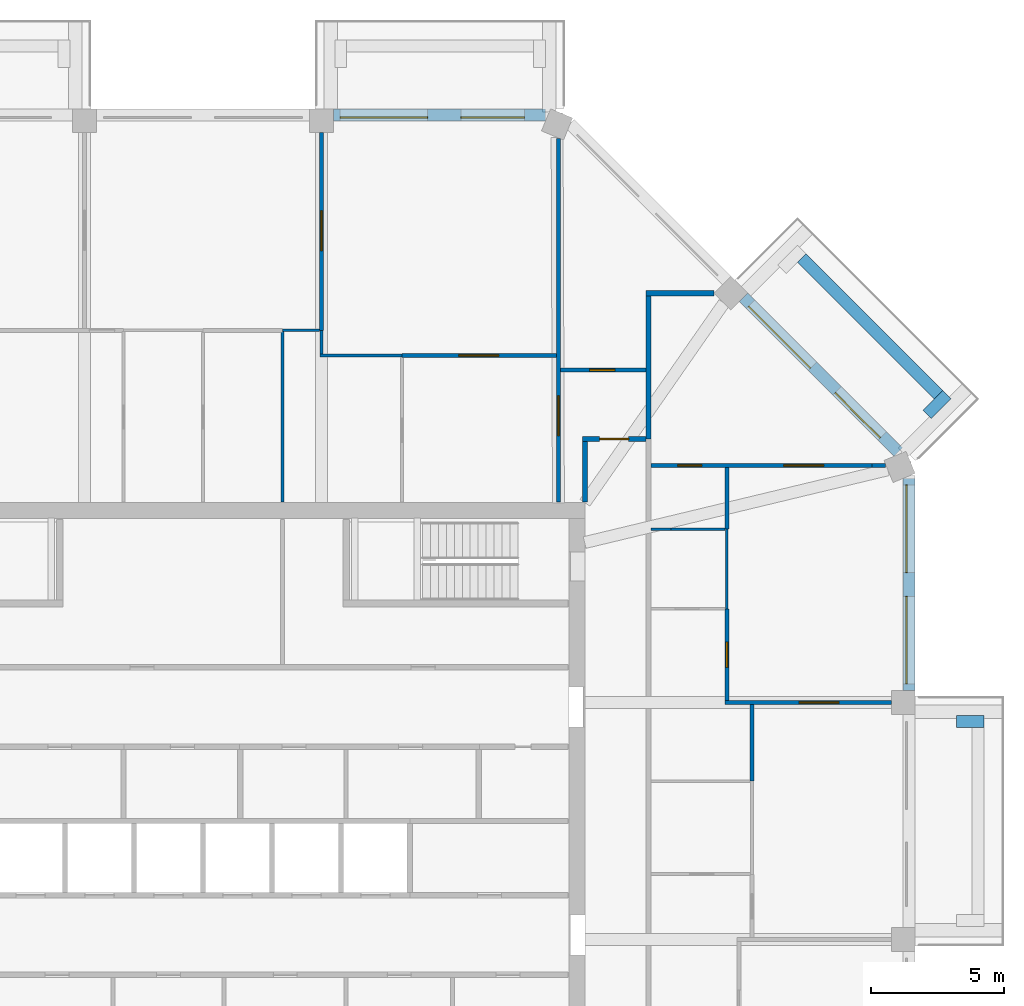
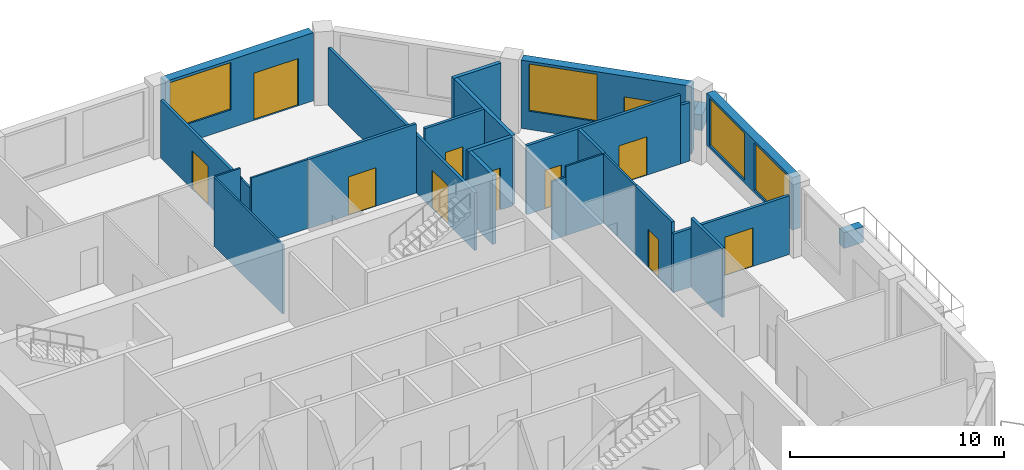
# One storey, part 9 of 12: 27 walls, 11 doors, 4 windows, 15 openings.
"""IFC4 building model written with IfcOpenShell, lengths in metres."""

from ifc_helpers import new_model, si_unit, direction, frame, frame_2d, origin, place, context, subcontext, project, spatial, rectangle, extrude, material, layer, layer_set, type_object, element, fill, save


model = new_model("IFC4")

# Units and contexts
model_context = context("Model", 3, precision=1e-05, world=origin(), true_north=direction((0.0, 1.0)))
body_context = subcontext(model_context, "Body", "Model", "MODEL_VIEW")
ifc_project = project(units=[si_unit("LENGTHUNIT", "METRE"), si_unit("AREAUNIT", "SQUARE_METRE"), si_unit("VOLUMEUNIT", "CUBIC_METRE"), si_unit("PLANEANGLEUNIT", "RADIAN"), si_unit("MASSUNIT", "GRAM", prefix="KILO")], contexts=[model_context])

# Site, building, storey
site_placement = place(None, origin())
site = spatial("IfcSite", under=ifc_project, at=site_placement, CompositionType="ELEMENT")
building_placement = place(site_placement, origin())
building = spatial("IfcBuilding", under=site, at=building_placement, Name="Msitu Wima Residences", CompositionType="ELEMENT")
storey_placement = place(building_placement, frame((0.0, 0.0, 222.300048828125)))
storey = spatial("IfcBuildingStorey", under=building, at=storey_placement, Name="L51", CompositionType="ELEMENT", Elevation=222.300048828125)

# Walls
ifc_material_1 = material(Name="Facing brick")
ifc_layer_1 = layer(ifc_material_1, 0.06494140625, Name="Facing brick")
ifc_material_2 = material(Name="Concrete C40/50", Category="concrete")
ifc_layer_2 = layer(ifc_material_2, 0.156005859375, Name="Concrete C40/50")
ifc_material_3 = material(Name="Waterproofing membrane")
ifc_layer_3 = layer(ifc_material_3, 0.00390625, Name="Waterproofing membrane")
ifc_material_4 = material(Name="Planting soil and planting")
ifc_layer_4 = layer(ifc_material_4, 0.22509765625, Name="Planting soil and planting")
ifc_layer_set_1 = layer_set([ifc_layer_1, ifc_layer_2, ifc_layer_3, ifc_layer_4], Name="Concrete C40/50")
wall_type_1 = type_object("IfcWallType", Name="Balcony planter PLANTER PL450", PredefinedType="USERDEFINED", material=ifc_layer_set_1)
wall_1_placement = place(storey_placement, frame((28.39990234375, 3.74365234375, 0.0), z_axis=(0.0, 0.0, 1.0), x_axis=(1.0, 0.0, 0.0)))
element("IfcWall", 1, at=wall_1_placement, inside=storey, type_object=wall_type_1, Name="Balcony planter E1 L51", ObjectType="PLANTER", PredefinedType="USERDEFINED", context=body_context, shape_type="SweptSolid", body=[
    extrude(rectangle(XDim=1.050048828125, YDim=0.449951171875, at=frame_2d((0.52490234375, 0.0))), origin(), (0.0, 0.0, 1.0), 0.89990234375),
])
wall_2_placement = place(storey_placement, frame((27.725830078125, 16.0751953125, 0.0), z_axis=(0.0, 0.0, 1.0), x_axis=(-0.707106781187, 0.707106781187, 0.0)))
element("IfcWall", 2, at=wall_2_placement, inside=storey, type_object=wall_type_1, Name="Balcony planter NE0 L51", ObjectType="PLANTER", PredefinedType="USERDEFINED", context=body_context, shape_type="SweptSolid", body=[
    extrude(rectangle(XDim=7.288330078125, YDim=0.449951171875, at=frame_2d((3.64404296875, 0.0))), origin(), (0.0, 0.0, 1.0), 0.89990234375),
])
wall_3_placement = place(storey_placement, frame((27.301513671875, 15.332763671875, 0.0), z_axis=(0.0, 0.0, 1.0), x_axis=(0.707106781187, 0.707106781187, 0.0)))
element("IfcWall", 3, at=wall_3_placement, inside=storey, type_object=wall_type_1, Name="Balcony planter NE0 L51", ObjectType="PLANTER", PredefinedType="USERDEFINED", context=body_context, shape_type="SweptSolid", body=[
    extrude(rectangle(XDim=1.050048828125, YDim=0.449951171875, at=frame_2d((0.52490234375, 0.0))), origin(), (0.0, 0.0, 1.0), 0.89990234375),
])

# Wall, openings, windows
ifc_material_5 = material(Name="Brick (red buff mix)", Category="masonry")
ifc_layer_5 = layer(ifc_material_5, 0.449951171875)
ifc_layer_set_2 = layer_set([ifc_layer_5], Name="Brick (red buff mix)")
wall_type_2 = type_object("IfcWallType", Name="Brick infill wall BW450", PredefinedType="SOLIDWALL", material=ifc_layer_set_2)
wall_4_placement = place(storey_placement, frame((26.625, 4.918701171875, 0.89990234375), z_axis=(0.0, 0.0, 1.0), x_axis=(0.0, 1.0, 0.0)))
wall_4 = element("IfcWall", 4, at=wall_4_placement, inside=storey, type_object=wall_type_2, Name="Brick infill wall L51 E2", PredefinedType="SOLIDWALL", context=body_context, shape_type="SweptSolid", body=[
    extrude(rectangle(XDim=8.0, YDim=0.449951171875, at=frame_2d((4.0, 0.0))), origin(), (0.0, 0.0, 1.0), 3.0),
])
opening_1_placement = place(wall_4_placement, frame((0.25, 0.0, 0.14990234375)))
opening_1 = element("IfcOpeningElement", 5, at=opening_1_placement, cuts=wall_4, Name="Opening W50-51.004", PredefinedType="OPENING", context=body_context, shape_type="SweptSolid", body=[
    extrude(rectangle(XDim=3.300048828125, YDim=2.699951171875, at=frame_2d((1.64990234375, 1.35009765625))), frame((0.0, 0.23486328125, 0.0), z_axis=(0.0, -1.0, 0.0), x_axis=(1.0, 0.0, 0.0)), (0.0, 0.0, 1.0), 0.469970703125),
])
opening_2_placement = place(wall_4_placement, frame((4.4501953125, 0.0, 0.14990234375)))
opening_2 = element("IfcOpeningElement", 6, at=opening_2_placement, cuts=wall_4, Name="Opening W50-51.005", PredefinedType="OPENING", context=body_context, shape_type="SweptSolid", body=[
    extrude(rectangle(XDim=3.300048828125, YDim=2.699951171875, at=frame_2d((1.64990234375, 1.35009765625))), frame((0.0, 0.23486328125, 0.0), z_axis=(0.0, -1.0, 0.0), x_axis=(1.0, 0.0, 0.0)), (0.0, 0.0, 1.0), 0.469970703125),
])
ifc_material_6 = material(Name="Anodised aluminium, bronze finish, clear low-emissivity double glazing", Category="aluminium")
window_type = type_object("IfcWindowType", Name="Window W3300x2700", PartitioningType="DOUBLE_PANEL_VERTICAL", PredefinedType="WINDOW", material=ifc_material_6)
window_1_placement = place(opening_1_placement, origin())
window_1 = element("IfcWindow", 7, at=window_1_placement, inside=storey, type_object=window_type, Name="Window L51 E2.1", OverallHeight=2.699951171875, OverallWidth=3.300048828125, PartitioningType="SINGLE_PANEL", PredefinedType="WINDOW", context=body_context, shape_type="SweptSolid", body=[
    extrude(rectangle(XDim=3.300048828125, YDim=2.699951171875, at=frame_2d((1.64990234375, 1.35009765625))), frame((0.0, 0.135009765625, 0.0), z_axis=(0.0, -1.0, 0.0), x_axis=(1.0, 0.0, 0.0)), (0.0, 0.0, 1.0), 0.06005859375),
])
fill(opening_1, window_1)
window_2_placement = place(opening_2_placement, origin())
window_2 = element("IfcWindow", 8, at=window_2_placement, inside=storey, type_object=window_type, Name="Window L51 E2.2", OverallHeight=2.699951171875, OverallWidth=3.300048828125, PartitioningType="SINGLE_PANEL", PredefinedType="WINDOW", context=body_context, shape_type="SweptSolid", body=[
    extrude(rectangle(XDim=3.300048828125, YDim=2.699951171875, at=frame_2d((1.64990234375, 1.35009765625))), frame((0.0, 0.135009765625, 0.0), z_axis=(0.0, -1.0, 0.0), x_axis=(1.0, 0.0, 0.0)), (0.0, 0.0, 1.0), 0.06005859375),
])
fill(opening_2, window_2)

# Wall, openings, door, window
wall_5_placement = place(storey_placement, frame((26.214599609375, 13.909423828125, 0.0), z_axis=(0.0, 0.0, 1.0), x_axis=(-0.707106781187, 0.707106781187, 0.0)))
wall_5 = element("IfcWall", 9, at=wall_5_placement, inside=storey, type_object=wall_type_2, Name="Brick infill wall L51 NE0", PredefinedType="SOLIDWALL", context=body_context, shape_type="SweptSolid", body=[
    extrude(rectangle(XDim=8.251220703125, YDim=0.449951171875, at=frame_2d((4.12548828125, 0.0))), origin(), (0.0, 0.0, 1.0), 3.89990234375),
])
opening_3_placement = place(wall_5_placement, frame((0.86279296875, 0.0, 0.0)))
opening_3 = element("IfcOpeningElement", 10, at=opening_3_placement, cuts=wall_5, Name="Opening D50-51.004", PredefinedType="OPENING", context=body_context, shape_type="SweptSolid", body=[
    extrude(rectangle(XDim=2.39990234375, YDim=2.699951171875, at=frame_2d((1.199951171875, 1.35009765625))), frame((0.0, 0.23486328125, 0.0), z_axis=(0.0, -1.0, 0.0), x_axis=(1.0, 0.0, 0.0)), (0.0, 0.0, 1.0), 0.469970703125),
])
opening_4_placement = place(wall_5_placement, frame((4.57568359375, 0.0, 1.050048828125)))
opening_4 = element("IfcOpeningElement", 11, at=opening_4_placement, cuts=wall_5, Name="Opening W50-51.010", PredefinedType="OPENING", context=body_context, shape_type="SweptSolid", body=[
    extrude(rectangle(XDim=3.300048828125, YDim=2.699951171875, at=frame_2d((1.64990234375, 1.35009765625))), frame((0.0, 0.23486328125, 0.0), z_axis=(0.0, -1.0, 0.0), x_axis=(1.0, 0.0, 0.0)), (0.0, 0.0, 1.0), 0.469970703125),
])
door_type_1 = type_object("IfcDoorType", Name="Balcony door D2400x2700", OperationType="SLIDING_TO_LEFT", PredefinedType="DOOR", material=ifc_material_6)
door_1_placement = place(opening_3_placement, origin())
door_1 = element("IfcDoor", 12, at=door_1_placement, inside=storey, type_object=door_type_1, Name="Balcony door L51 NE0", OperationType="SINGLE_SWING_LEFT", OverallHeight=2.699951171875, OverallWidth=2.39990234375, PredefinedType="DOOR", context=body_context, shape_type="SweptSolid", body=[
    extrude(rectangle(XDim=2.39990234375, YDim=2.699951171875, at=frame_2d((1.199951171875, 1.35009765625))), frame((0.0, 0.1298828125, 0.0), z_axis=(0.0, -1.0, 0.0), x_axis=(1.0, 0.0, 0.0)), (0.0, 0.0, 1.0), 0.050048828125),
])
fill(opening_3, door_1)
window_3_placement = place(opening_4_placement, origin())
window_3 = element("IfcWindow", 13, at=window_3_placement, inside=storey, type_object=window_type, Name="Window L51 NE0.2", OverallHeight=2.699951171875, OverallWidth=3.300048828125, PartitioningType="SINGLE_PANEL", PredefinedType="WINDOW", context=body_context, shape_type="SweptSolid", body=[
    extrude(rectangle(XDim=3.300048828125, YDim=2.699951171875, at=frame_2d((1.64990234375, 1.35009765625))), frame((0.0, 0.135009765625, 0.0), z_axis=(0.0, -1.0, 0.0), x_axis=(1.0, 0.0, 0.0)), (0.0, 0.0, 1.0), 0.06005859375),
])
fill(opening_4, window_3)

wall_6_placement = place(storey_placement, frame((12.918701171875, 26.625, 0.0), z_axis=(0.0, 0.0, 1.0), x_axis=(-1.0, 0.0, 0.0)))
wall_6 = element("IfcWall", 14, at=wall_6_placement, inside=storey, type_object=wall_type_2, Name="Brick infill wall L51 N0", PredefinedType="SOLIDWALL", context=body_context, shape_type="SweptSolid", body=[
    extrude(rectangle(XDim=8.0, YDim=0.449951171875, at=frame_2d((4.0, 0.0))), origin(), (0.0, 0.0, 1.0), 3.89990234375),
])
opening_5_placement = place(wall_6_placement, frame((0.800048828125, 0.0, 0.0)))
opening_5 = element("IfcOpeningElement", 15, at=opening_5_placement, cuts=wall_6, Name="Opening D50-51.002", PredefinedType="OPENING", context=body_context, shape_type="SweptSolid", body=[
    extrude(rectangle(XDim=2.39990234375, YDim=2.699951171875, at=frame_2d((1.199951171875, 1.35009765625))), frame((0.0, 0.23486328125, 0.0), z_axis=(0.0, -1.0, 0.0), x_axis=(1.0, 0.0, 0.0)), (0.0, 0.0, 1.0), 0.469970703125),
])
opening_6_placement = place(wall_6_placement, frame((4.4501953125, 0.0, 1.050048828125)))
opening_6 = element("IfcOpeningElement", 16, at=opening_6_placement, cuts=wall_6, Name="Opening W50-51.006", PredefinedType="OPENING", context=body_context, shape_type="SweptSolid", body=[
    extrude(rectangle(XDim=3.300048828125, YDim=2.699951171875, at=frame_2d((1.64990234375, 1.35009765625))), frame((0.0, 0.23486328125, 0.0), z_axis=(0.0, -1.0, 0.0), x_axis=(1.0, 0.0, 0.0)), (0.0, 0.0, 1.0), 0.469970703125),
])
door_2_placement = place(opening_5_placement, origin())
door_2 = element("IfcDoor", 17, at=door_2_placement, inside=storey, type_object=door_type_1, Name="Balcony door L51 N0", OperationType="SINGLE_SWING_LEFT", OverallHeight=2.699951171875, OverallWidth=2.39990234375, PredefinedType="DOOR", context=body_context, shape_type="SweptSolid", body=[
    extrude(rectangle(XDim=2.39990234375, YDim=2.699951171875, at=frame_2d((1.199951171875, 1.35009765625))), frame((0.0, 0.1298828125, 0.0), z_axis=(0.0, -1.0, 0.0), x_axis=(1.0, 0.0, 0.0)), (0.0, 0.0, 1.0), 0.050048828125),
])
fill(opening_5, door_2)
window_4_placement = place(opening_6_placement, origin())
window_4 = element("IfcWindow", 18, at=window_4_placement, inside=storey, type_object=window_type, Name="Window L51 N0.2", OverallHeight=2.699951171875, OverallWidth=3.300048828125, PartitioningType="SINGLE_PANEL", PredefinedType="WINDOW", context=body_context, shape_type="SweptSolid", body=[
    extrude(rectangle(XDim=3.300048828125, YDim=2.699951171875, at=frame_2d((1.64990234375, 1.35009765625))), frame((0.0, 0.135009765625, 0.0), z_axis=(0.0, -1.0, 0.0), x_axis=(1.0, 0.0, 0.0)), (0.0, 0.0, 1.0), 0.06005859375),
])
fill(opening_6, window_4)

# Wall
ifc_material_7 = material(Name="Plaster")
ifc_layer_6 = layer(ifc_material_7, 0.011962890625, Name="Plaster")
ifc_material_8 = material(Name="Concrete blockwork", Category="masonry")
ifc_layer_7 = layer(ifc_material_8, 0.176025390625, Name="Concrete blockwork")
ifc_layer_8 = layer(ifc_material_7, 0.011962890625, Name="Plaster")
ifc_layer_set_3 = layer_set([ifc_layer_6, ifc_layer_7, ifc_layer_8], Name="Concrete blockwork")
wall_type_3 = type_object("IfcWallType", Name="Corridor wall FW200", PredefinedType="PARTITIONING", material=ifc_layer_set_3)
wall_7_placement = place(storey_placement, frame((14.39990234375, 12.030029296875, 0.0), z_axis=(0.0, 0.0, 1.0), x_axis=(0.0, 1.0, 0.0)))
element("IfcWall", 19, at=wall_7_placement, inside=storey, type_object=wall_type_3, Name="Corridor wall", PredefinedType="PARTITIONING", context=body_context, shape_type="SweptSolid", body=[
    extrude(rectangle(XDim=2.27001953125, YDim=0.199951171875, at=frame_2d((1.135009765625, 0.0))), origin(), (0.0, 0.0, 1.0), 3.949951171875),
])

# Wall, opening, door
wall_8_placement = place(storey_placement, frame((14.300048828125, 14.39990234375, 0.0), z_axis=(0.0, 0.0, 1.0), x_axis=(1.0, 0.0, 0.0)))
wall_8 = element("IfcWall", 20, at=wall_8_placement, inside=storey, type_object=wall_type_3, Name="Corridor wall", PredefinedType="PARTITIONING", context=body_context, shape_type="SweptSolid", body=[
    extrude(rectangle(XDim=2.39990234375, YDim=0.199951171875, at=frame_2d((1.199951171875, 0.0))), origin(), (0.0, 0.0, 1.0), 3.949951171875),
])
opening_7_placement = place(wall_8_placement, frame((0.64990234375, 0.0, 0.0)))
opening_7 = element("IfcOpeningElement", 21, at=opening_7_placement, cuts=wall_8, Name="Opening D50-51.022", PredefinedType="OPENING", context=body_context, shape_type="SweptSolid", body=[
    extrude(rectangle(XDim=1.10009765625, YDim=2.39990234375, at=frame_2d((0.550048828125, 1.199951171875))), frame((0.0, 0.10986328125, 0.0), z_axis=(0.0, -1.0, 0.0), x_axis=(1.0, 0.0, 0.0)), (0.0, 0.0, 1.0), 0.219970703125),
])
ifc_material_9 = material(Name="Timber flush door, fire resisting, self-closing", Category="wood")
door_type_2 = type_object("IfcDoorType", Name="Flat entrance door D01 1100x2400", OperationType="SINGLE_SWING_LEFT", PredefinedType="DOOR", material=ifc_material_9)
door_3_placement = place(opening_7_placement, origin())
door_3 = element("IfcDoor", 22, at=door_3_placement, inside=storey, type_object=door_type_2, Name="Flat entrance door", OperationType="SINGLE_SWING_RIGHT", OverallHeight=2.39990234375, OverallWidth=1.10009765625, PredefinedType="DOOR", context=body_context, shape_type="SweptSolid", body=[
    extrude(rectangle(XDim=1.10009765625, YDim=2.39990234375, at=frame_2d((0.550048828125, 1.199951171875))), frame((0.0, 0.02490234375, 0.0), z_axis=(0.0, -1.0, 0.0), x_axis=(1.0, 0.0, 0.0)), (0.0, 0.0, 1.0), 0.050048828125),
])
fill(opening_7, door_3)

ifc_layer_9 = layer(ifc_material_7, 0.011962890625, Name="Plaster")
ifc_layer_10 = layer(ifc_material_8, 0.1259765625, Name="Concrete blockwork")
ifc_layer_11 = layer(ifc_material_7, 0.011962890625, Name="Plaster")
ifc_layer_set_4 = layer_set([ifc_layer_9, ifc_layer_10, ifc_layer_11], Name="Concrete blockwork")
wall_type_4 = type_object("IfcWallType", Name="Partition PW150", PredefinedType="PARTITIONING", material=ifc_layer_set_4)
wall_9_placement = place(storey_placement, frame((4.46875, 18.5, 0.0), z_axis=(0.0, 0.0, 1.0), x_axis=(0.0, 1.0, 0.0)))
wall_9 = element("IfcWall", 23, at=wall_9_placement, inside=storey, type_object=wall_type_4, Name="Partition", PredefinedType="PARTITIONING", context=body_context, shape_type="SweptSolid", body=[
    extrude(rectangle(XDim=7.449951171875, YDim=0.14990234375, at=frame_2d((3.72509765625, 0.0))), origin(), (0.0, 0.0, 1.0), 3.300048828125),
])
opening_8_placement = place(wall_9_placement, frame((3.0, 0.0, 0.0)))
opening_8 = element("IfcOpeningElement", 24, at=opening_8_placement, cuts=wall_9, Name="Opening D50-51.030", PredefinedType="OPENING", context=body_context, shape_type="SweptSolid", body=[
    extrude(rectangle(XDim=1.5, YDim=2.199951171875, at=frame_2d((0.75, 1.10009765625))), frame((0.0, 0.0849609375, 0.0), z_axis=(0.0, -1.0, 0.0), x_axis=(1.0, 0.0, 0.0)), (0.0, 0.0, 1.0), 0.169921875),
])
ifc_material_10 = material(Name="Timber double door", Category="wood")
door_type_3 = type_object("IfcDoorType", Name="Double door D04 1500x2200", OperationType="DOUBLE_DOOR_SINGLE_SWING", PredefinedType="DOOR", material=ifc_material_10)
door_4_placement = place(opening_8_placement, origin())
door_4 = element("IfcDoor", 25, at=door_4_placement, inside=storey, type_object=door_type_3, Name="Double door", OperationType="DOUBLE_DOOR_SINGLE_SWING", OverallHeight=2.199951171875, OverallWidth=1.5, PredefinedType="DOOR", context=body_context, shape_type="SweptSolid", body=[
    extrude(rectangle(XDim=1.5, YDim=2.199951171875, at=frame_2d((0.75, 1.10009765625))), frame((0.0, 0.02490234375, 0.0), z_axis=(0.0, -1.0, 0.0), x_axis=(1.0, 0.0, 0.0)), (0.0, 0.0, 1.0), 0.050048828125),
])
fill(opening_8, door_4)

wall_10_placement = place(storey_placement, frame((7.5, 17.550048828125, 0.0), z_axis=(0.0, 0.0, 1.0), x_axis=(1.0, 0.0, 0.0)))
wall_10 = element("IfcWall", 26, at=wall_10_placement, inside=storey, type_object=wall_type_4, Name="Partition", PredefinedType="PARTITIONING", context=body_context, shape_type="SweptSolid", body=[
    extrude(rectangle(XDim=5.830810546875, YDim=0.14990234375, at=frame_2d((2.91552734375, 0.0))), origin(), (0.0, 0.0, 1.0), 3.949951171875),
])
opening_9_placement = place(wall_10_placement, frame((2.14990234375, 0.0, 0.0)))
opening_9 = element("IfcOpeningElement", 27, at=opening_9_placement, cuts=wall_10, Name="Opening D50-51.027", PredefinedType="OPENING", context=body_context, shape_type="SweptSolid", body=[
    extrude(rectangle(XDim=1.5, YDim=2.199951171875, at=frame_2d((0.75, 1.10009765625))), frame((0.0, 0.0849609375, 0.0), z_axis=(0.0, -1.0, 0.0), x_axis=(1.0, 0.0, 0.0)), (0.0, 0.0, 1.0), 0.169921875),
])
door_5_placement = place(opening_9_placement, origin())
door_5 = element("IfcDoor", 28, at=door_5_placement, inside=storey, type_object=door_type_3, Name="Double door", OperationType="DOUBLE_DOOR_SINGLE_SWING", OverallHeight=2.199951171875, OverallWidth=1.5, PredefinedType="DOOR", context=body_context, shape_type="SweptSolid", body=[
    extrude(rectangle(XDim=1.5, YDim=2.199951171875, at=frame_2d((0.75, 1.10009765625))), frame((0.0, 0.02490234375, 0.0), z_axis=(0.0, -1.0, 0.0), x_axis=(1.0, 0.0, 0.0)), (0.0, 0.0, 1.0), 0.050048828125),
])
fill(opening_9, door_5)

wall_11_placement = place(storey_placement, frame((13.406005859375, 12.030029296875, 0.0), z_axis=(0.0, 0.0, 1.0), x_axis=(0.0, 1.0, 0.0)))
wall_11 = element("IfcWall", 29, at=wall_11_placement, inside=storey, type_object=wall_type_4, Name="Partition", PredefinedType="PARTITIONING", context=body_context, shape_type="SweptSolid", body=[
    extrude(rectangle(XDim=13.701171875, YDim=0.14990234375, at=frame_2d((6.8505859375, 0.0))), origin(), (0.0, 0.0, 1.0), 3.300048828125),
])
opening_10_placement = place(wall_11_placement, frame((2.5, 0.0, 0.0)))
opening_10 = element("IfcOpeningElement", 30, at=opening_10_placement, cuts=wall_11, Name="Opening D50-51.023", PredefinedType="OPENING", context=body_context, shape_type="SweptSolid", body=[
    extrude(rectangle(XDim=1.5, YDim=2.199951171875, at=frame_2d((0.75, 1.10009765625))), frame((0.0, 0.0849609375, 0.0), z_axis=(0.0, -1.0, 0.0), x_axis=(1.0, 0.0, 0.0)), (0.0, 0.0, 1.0), 0.169921875),
])
door_6_placement = place(opening_10_placement, origin())
door_6 = element("IfcDoor", 31, at=door_6_placement, inside=storey, type_object=door_type_3, Name="Double door", OperationType="DOUBLE_DOOR_SINGLE_SWING", OverallHeight=2.199951171875, OverallWidth=1.5, PredefinedType="DOOR", context=body_context, shape_type="SweptSolid", body=[
    extrude(rectangle(XDim=1.5, YDim=2.199951171875, at=frame_2d((0.75, 1.10009765625))), frame((0.0, 0.02490234375, 0.0), z_axis=(0.0, -1.0, 0.0), x_axis=(1.0, 0.0, 0.0)), (0.0, 0.0, 1.0), 0.050048828125),
])
fill(opening_10, door_6)

wall_12_placement = place(storey_placement, frame((13.48095703125, 17.0, 0.0), z_axis=(0.0, 0.0, 1.0), x_axis=(1.0, 0.0, 0.0)))
wall_12 = element("IfcWall", 32, at=wall_12_placement, inside=storey, type_object=wall_type_4, Name="Partition", PredefinedType="PARTITIONING", context=body_context, shape_type="SweptSolid", body=[
    extrude(rectangle(XDim=3.218994140625, YDim=0.14990234375, at=frame_2d((1.609375, 0.0))), origin(), (0.0, 0.0, 1.0), 3.949951171875),
])
opening_11_placement = place(wall_12_placement, frame((1.10009765625, 0.0, 0.0)))
opening_11 = element("IfcOpeningElement", 33, at=opening_11_placement, cuts=wall_12, Name="Opening D50-51.028", PredefinedType="OPENING", context=body_context, shape_type="SweptSolid", body=[
    extrude(rectangle(XDim=0.949951171875, YDim=2.199951171875, at=frame_2d((0.47509765625, 1.10009765625))), frame((0.0, 0.0849609375, 0.0), z_axis=(0.0, -1.0, 0.0), x_axis=(1.0, 0.0, 0.0)), (0.0, 0.0, 1.0), 0.169921875),
])
ifc_material_11 = material(Name="Timber flush door", Category="wood")
door_type_4 = type_object("IfcDoorType", Name="Room door D12 950x2200", OperationType="SINGLE_SWING_LEFT", PredefinedType="DOOR", material=ifc_material_11)
door_7_placement = place(opening_11_placement, origin())
door_7 = element("IfcDoor", 34, at=door_7_placement, inside=storey, type_object=door_type_4, Name="Room door", OperationType="SINGLE_SWING_LEFT", OverallHeight=2.199951171875, OverallWidth=0.949951171875, PredefinedType="DOOR", context=body_context, shape_type="SweptSolid", body=[
    extrude(rectangle(XDim=0.949951171875, YDim=2.199951171875, at=frame_2d((0.47509765625, 1.10009765625))), frame((0.0, 0.02490234375, 0.0), z_axis=(0.0, -1.0, 0.0), x_axis=(1.0, 0.0, 0.0)), (0.0, 0.0, 1.0), 0.050048828125),
])
fill(opening_11, door_7)

# Wall, openings, doors
wall_13_placement = place(storey_placement, frame((16.89990234375, 13.406005859375, 0.0), z_axis=(0.0, 0.0, 1.0), x_axis=(1.0, 0.0, 0.0)))
wall_13 = element("IfcWall", 35, at=wall_13_placement, inside=storey, type_object=wall_type_4, Name="Partition", PredefinedType="PARTITIONING", context=body_context, shape_type="SweptSolid", body=[
    extrude(rectangle(XDim=8.32421875, YDim=0.14990234375, at=frame_2d((4.162109375, 0.0))), origin(), (0.0, 0.0, 1.0), 3.949951171875),
])
opening_12_placement = place(wall_13_placement, frame((5.0, 0.0, 0.0)))
opening_12 = element("IfcOpeningElement", 36, at=opening_12_placement, cuts=wall_13, Name="Opening D50-51.019", PredefinedType="OPENING", context=body_context, shape_type="SweptSolid", body=[
    extrude(rectangle(XDim=1.5, YDim=2.199951171875, at=frame_2d((0.75, 1.10009765625))), frame((0.0, 0.0849609375, 0.0), z_axis=(0.0, -1.0, 0.0), x_axis=(1.0, 0.0, 0.0)), (0.0, 0.0, 1.0), 0.169921875),
])
opening_13_placement = place(wall_13_placement, frame((1.0, 0.0, 0.0)))
opening_13 = element("IfcOpeningElement", 37, at=opening_13_placement, cuts=wall_13, Name="Opening D50-51.013", PredefinedType="OPENING", context=body_context, shape_type="SweptSolid", body=[
    extrude(rectangle(XDim=0.89990234375, YDim=2.199951171875, at=frame_2d((0.449951171875, 1.10009765625))), frame((0.0, 0.0849609375, 0.0), z_axis=(0.0, -1.0, 0.0), x_axis=(1.0, 0.0, 0.0)), (0.0, 0.0, 1.0), 0.169921875),
])
door_8_placement = place(opening_12_placement, origin())
door_8 = element("IfcDoor", 38, at=door_8_placement, inside=storey, type_object=door_type_3, Name="Double door", OperationType="DOUBLE_DOOR_SINGLE_SWING", OverallHeight=2.199951171875, OverallWidth=1.5, PredefinedType="DOOR", context=body_context, shape_type="SweptSolid", body=[
    extrude(rectangle(XDim=1.5, YDim=2.199951171875, at=frame_2d((0.75, 1.10009765625))), frame((0.0, 0.02490234375, 0.0), z_axis=(0.0, -1.0, 0.0), x_axis=(1.0, 0.0, 0.0)), (0.0, 0.0, 1.0), 0.050048828125),
])
fill(opening_12, door_8)
door_type_5 = type_object("IfcDoorType", Name="Service door D05 900x2200", OperationType="SINGLE_SWING_LEFT", PredefinedType="DOOR", material=ifc_material_11)
door_9_placement = place(opening_13_placement, origin())
door_9 = element("IfcDoor", 39, at=door_9_placement, inside=storey, type_object=door_type_5, Name="Service door", OperationType="SINGLE_SWING_LEFT", OverallHeight=2.199951171875, OverallWidth=0.89990234375, PredefinedType="DOOR", context=body_context, shape_type="SweptSolid", body=[
    extrude(rectangle(XDim=0.89990234375, YDim=2.199951171875, at=frame_2d((0.449951171875, 1.10009765625))), frame((0.0, 0.02490234375, 0.0), z_axis=(0.0, -1.0, 0.0), x_axis=(1.0, 0.0, 0.0)), (0.0, 0.0, 1.0), 0.050048828125),
])
fill(opening_13, door_9)

# Wall
wall_14_placement = place(storey_placement, frame((25.22412109375, 13.406005859375, 0.0), z_axis=(0.0, 0.0, 1.0), x_axis=(1.0, 0.0, 0.0)))
element("IfcWall", 40, at=wall_14_placement, inside=storey, type_object=wall_type_4, Name="Partition", PredefinedType="PARTITIONING", context=body_context, shape_type="SweptSolid", body=[
    extrude(rectangle(XDim=0.507080078125, YDim=0.14990234375, at=frame_2d((0.25341796875, 0.0))), origin(), (0.0, 0.0, 1.0), 3.349853515625),
])

# Wall, opening, door
wall_15_placement = place(storey_placement, frame((19.75, 4.543701171875, 0.0), z_axis=(0.0, 0.0, 1.0), x_axis=(0.0, 1.0, 0.0)))
wall_15 = element("IfcWall", 41, at=wall_15_placement, inside=storey, type_object=wall_type_4, Name="Partition", PredefinedType="PARTITIONING", context=body_context, shape_type="SweptSolid", body=[
    extrude(rectangle(XDim=3.456298828125, YDim=0.14990234375, at=frame_2d((1.72802734375, 0.0))), origin(), (0.0, 0.0, 1.0), 3.949951171875),
])
opening_14_placement = place(wall_15_placement, frame((1.25, 0.0, 0.0)))
opening_14 = element("IfcOpeningElement", 42, at=opening_14_placement, cuts=wall_15, Name="Opening D50-51.020", PredefinedType="OPENING", context=body_context, shape_type="SweptSolid", body=[
    extrude(rectangle(XDim=0.949951171875, YDim=2.199951171875, at=frame_2d((0.47509765625, 1.10009765625))), frame((0.0, 0.0849609375, 0.0), z_axis=(0.0, -1.0, 0.0), x_axis=(1.0, 0.0, 0.0)), (0.0, 0.0, 1.0), 0.169921875),
])
door_10_placement = place(opening_14_placement, origin())
door_10 = element("IfcDoor", 43, at=door_10_placement, inside=storey, type_object=door_type_4, Name="Room door", OperationType="SINGLE_SWING_RIGHT", OverallHeight=2.199951171875, OverallWidth=0.949951171875, PredefinedType="DOOR", context=body_context, shape_type="SweptSolid", body=[
    extrude(rectangle(XDim=0.949951171875, YDim=2.199951171875, at=frame_2d((0.47509765625, 1.10009765625))), frame((0.0, 0.02490234375, 0.0), z_axis=(0.0, -1.0, 0.0), x_axis=(1.0, 0.0, 0.0)), (0.0, 0.0, 1.0), 0.050048828125),
])
fill(opening_14, door_10)

wall_16_placement = place(storey_placement, frame((19.675048828125, 4.46875, 0.0), z_axis=(0.0, 0.0, 1.0), x_axis=(1.0, 0.0, 0.0)))
wall_16 = element("IfcWall", 44, at=wall_16_placement, inside=storey, type_object=wall_type_4, Name="Partition", PredefinedType="PARTITIONING", context=body_context, shape_type="SweptSolid", body=[
    extrude(rectangle(XDim=6.27490234375, YDim=0.14990234375, at=frame_2d((3.137451171875, 0.0))), origin(), (0.0, 0.0, 1.0), 3.349853515625),
])
opening_15_placement = place(wall_16_placement, frame((2.800048828125, 0.0, 0.0)))
opening_15 = element("IfcOpeningElement", 45, at=opening_15_placement, cuts=wall_16, Name="Opening D50-51.018", PredefinedType="OPENING", context=body_context, shape_type="SweptSolid", body=[
    extrude(rectangle(XDim=1.5, YDim=2.199951171875, at=frame_2d((0.75, 1.10009765625))), frame((0.0, 0.0849609375, 0.0), z_axis=(0.0, -1.0, 0.0), x_axis=(1.0, 0.0, 0.0)), (0.0, 0.0, 1.0), 0.169921875),
])
door_11_placement = place(opening_15_placement, origin())
door_11 = element("IfcDoor", 46, at=door_11_placement, inside=storey, type_object=door_type_3, Name="Double door", OperationType="DOUBLE_DOOR_SINGLE_SWING", OverallHeight=2.199951171875, OverallWidth=1.5, PredefinedType="DOOR", context=body_context, shape_type="SweptSolid", body=[
    extrude(rectangle(XDim=1.5, YDim=2.199951171875, at=frame_2d((0.75, 1.10009765625))), frame((0.0, 0.02490234375, 0.0), z_axis=(0.0, -1.0, 0.0), x_axis=(1.0, 0.0, 0.0)), (0.0, 0.0, 1.0), 0.050048828125),
])
fill(opening_15, door_11)

# Walls
wall_17_placement = place(storey_placement, frame((19.75, 11.0, 0.0), z_axis=(0.0, 0.0, 1.0), x_axis=(0.0, 1.0, 0.0)))
element("IfcWall", 47, at=wall_17_placement, inside=storey, type_object=wall_type_4, Name="Partition", PredefinedType="PARTITIONING", context=body_context, shape_type="SweptSolid", body=[
    extrude(rectangle(XDim=2.330810546875, YDim=0.14990234375, at=frame_2d((1.16552734375, 0.0))), origin(), (0.0, 0.0, 1.0), 3.949951171875),
])
wall_18_placement = place(storey_placement, frame((20.699951171875, 1.5, 0.0), z_axis=(0.0, 0.0, 1.0), x_axis=(0.0, 1.0, 0.0)))
element("IfcWall", 48, at=wall_18_placement, inside=storey, type_object=wall_type_4, Name="Partition", PredefinedType="PARTITIONING", context=body_context, shape_type="SweptSolid", body=[
    extrude(rectangle(XDim=2.8935546875, YDim=0.14990234375, at=frame_2d((1.44677734375, 0.0))), origin(), (0.0, 0.0, 1.0), 3.949951171875),
])
ifc_layer_12 = layer(ifc_material_7, 0.011962890625, Name="Plaster")
ifc_material_12 = material(Name="Dense concrete blockwork", Category="masonry")
ifc_layer_13 = layer(ifc_material_12, 0.176025390625, Name="Dense concrete blockwork")
ifc_layer_14 = layer(ifc_material_7, 0.011962890625, Name="Plaster")
ifc_layer_set_5 = layer_set([ifc_layer_12, ifc_layer_13, ifc_layer_14], Name="Dense concrete blockwork")
wall_type_5 = type_object("IfcWallType", Name="Party wall PW200", PredefinedType="PARTITIONING", material=ifc_layer_set_5)
wall_19_placement = place(storey_placement, frame((16.800048828125, 14.39990234375, 0.0), z_axis=(0.0, 0.0, 1.0), x_axis=(0.0, 1.0, 0.0)))
element("IfcWall", 49, at=wall_19_placement, inside=storey, type_object=wall_type_5, Name="Party wall", PredefinedType="PARTITIONING", context=body_context, shape_type="SweptSolid", body=[
    extrude(rectangle(XDim=5.403076171875, YDim=0.199951171875, at=frame_2d((2.70166015625, 0.0))), origin(), (0.0, 0.0, 1.0), 3.949951171875),
])
wall_20_placement = place(storey_placement, frame((16.699951171875, 19.90283203125, 0.0), z_axis=(0.0, 0.0, 1.0), x_axis=(1.0, 0.0, 0.0)))
element("IfcWall", 50, at=wall_20_placement, inside=storey, type_object=wall_type_5, Name="Party wall", PredefinedType="PARTITIONING", context=body_context, shape_type="SweptSolid", body=[
    extrude(rectangle(XDim=2.566650390625, YDim=0.199951171875, at=frame_2d((1.283203125, 0.0))), origin(), (0.0, 0.0, 1.0), 3.949951171875),
])
ifc_material_13 = material(Name="Ceramic tiles")
ifc_layer_15 = layer(ifc_material_13, 0.008056640625, Name="Ceramic tiles")
ifc_material_14 = material(Name="Moisture-resistant board")
ifc_layer_16 = layer(ifc_material_14, 0.012451171875, Name="Moisture-resistant board")
ifc_material_15 = material(Name="Light-gauge stud framing with mineral wool")
ifc_layer_17 = layer(ifc_material_15, 0.06689453125, Name="Light-gauge stud framing with mineral wool")
ifc_layer_18 = layer(ifc_material_14, 0.012451171875, Name="Moisture-resistant board")
ifc_layer_set_6 = layer_set([ifc_layer_15, ifc_layer_16, ifc_layer_17, ifc_layer_18], Name="Light-gauge stud framing with mineral wool")
wall_type_6 = type_object("IfcWallType", Name="Wet wall PW100", PredefinedType="PARTITIONING", material=ifc_layer_set_6)
wall_21_placement = place(storey_placement, frame((3.0, 18.5, 0.0), z_axis=(0.0, 0.0, 1.0), x_axis=(1.0, 0.0, 0.0)))
element("IfcWall", 51, at=wall_21_placement, inside=storey, type_object=wall_type_6, Name="Wet wall", PredefinedType="PARTITIONING", context=body_context, shape_type="SweptSolid", body=[
    extrude(rectangle(XDim=1.3935546875, YDim=0.10009765625, at=frame_2d((0.69677734375, 0.0))), origin(), (0.0, 0.0, 1.0), 3.949951171875),
])
wall_22_placement = place(storey_placement, frame((3.0, 12.030029296875, 0.0), z_axis=(0.0, 0.0, 1.0), x_axis=(0.0, 1.0, 0.0)))
element("IfcWall", 52, at=wall_22_placement, inside=storey, type_object=wall_type_6, Name="Wet wall", PredefinedType="PARTITIONING", context=body_context, shape_type="SweptSolid", body=[
    extrude(rectangle(XDim=6.419921875, YDim=0.10009765625, at=frame_2d((3.2099609375, 0.0))), origin(), (0.0, 0.0, 1.0), 3.949951171875),
])
wall_23_placement = place(storey_placement, frame((4.46875, 17.60009765625, 0.0), z_axis=(0.0, 0.0, 1.0), x_axis=(0.0, 1.0, 0.0)))
element("IfcWall", 53, at=wall_23_placement, inside=storey, type_object=wall_type_6, Name="Wet wall", PredefinedType="PARTITIONING", context=body_context, shape_type="SweptSolid", body=[
    extrude(rectangle(XDim=0.89990234375, YDim=0.10009765625, at=frame_2d((0.449951171875, 0.0))), origin(), (0.0, 0.0, 1.0), 3.300048828125),
])
wall_24_placement = place(storey_placement, frame((4.418701171875, 17.550048828125, 0.0), z_axis=(0.0, 0.0, 1.0), x_axis=(1.0, 0.0, 0.0)))
element("IfcWall", 54, at=wall_24_placement, inside=storey, type_object=wall_type_6, Name="Wet wall", PredefinedType="PARTITIONING", context=body_context, shape_type="SweptSolid", body=[
    extrude(rectangle(XDim=3.081298828125, YDim=0.10009765625, at=frame_2d((1.54052734375, 0.0))), origin(), (0.0, 0.0, 1.0), 3.949951171875),
])
wall_25_placement = place(storey_placement, frame((16.89990234375, 11.0, 0.0), z_axis=(0.0, 0.0, 1.0), x_axis=(1.0, 0.0, 0.0)))
element("IfcWall", 55, at=wall_25_placement, inside=storey, type_object=wall_type_6, Name="Wet wall", PredefinedType="PARTITIONING", context=body_context, shape_type="SweptSolid", body=[
    extrude(rectangle(XDim=0.75390625, YDim=0.10009765625, at=frame_2d((0.376953125, 0.0))), origin(), (0.0, 0.0, 1.0), 3.349853515625),
])
wall_26_placement = place(storey_placement, frame((17.65380859375, 11.0, 0.0), z_axis=(0.0, 0.0, 1.0), x_axis=(1.0, 0.0, 0.0)))
element("IfcWall", 56, at=wall_26_placement, inside=storey, type_object=wall_type_6, Name="Wet wall", PredefinedType="PARTITIONING", context=body_context, shape_type="SweptSolid", body=[
    extrude(rectangle(XDim=2.021240234375, YDim=0.10009765625, at=frame_2d((1.0107421875, 0.0))), origin(), (0.0, 0.0, 1.0), 3.949951171875),
])
wall_27_placement = place(storey_placement, frame((19.75, 8.0, 0.0), z_axis=(0.0, 0.0, 1.0), x_axis=(0.0, 1.0, 0.0)))
element("IfcWall", 57, at=wall_27_placement, inside=storey, type_object=wall_type_6, Name="Wet wall", PredefinedType="PARTITIONING", context=body_context, shape_type="SweptSolid", body=[
    extrude(rectangle(XDim=3.0, YDim=0.10009765625, at=frame_2d((1.5, 0.0))), origin(), (0.0, 0.0, 1.0), 3.949951171875),
])

save(model, "model.ifc")
